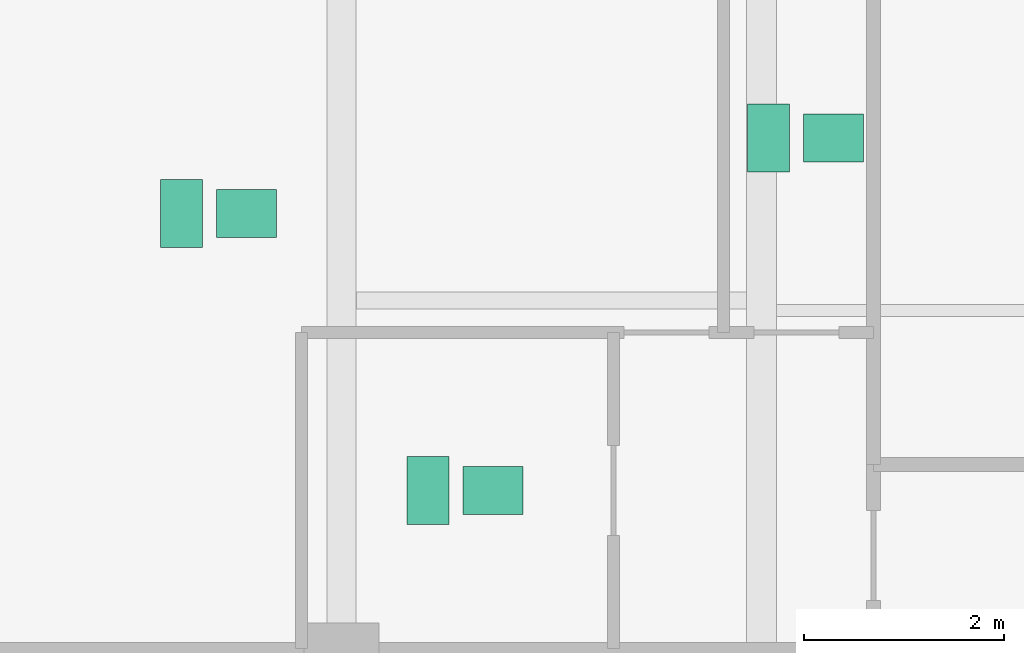
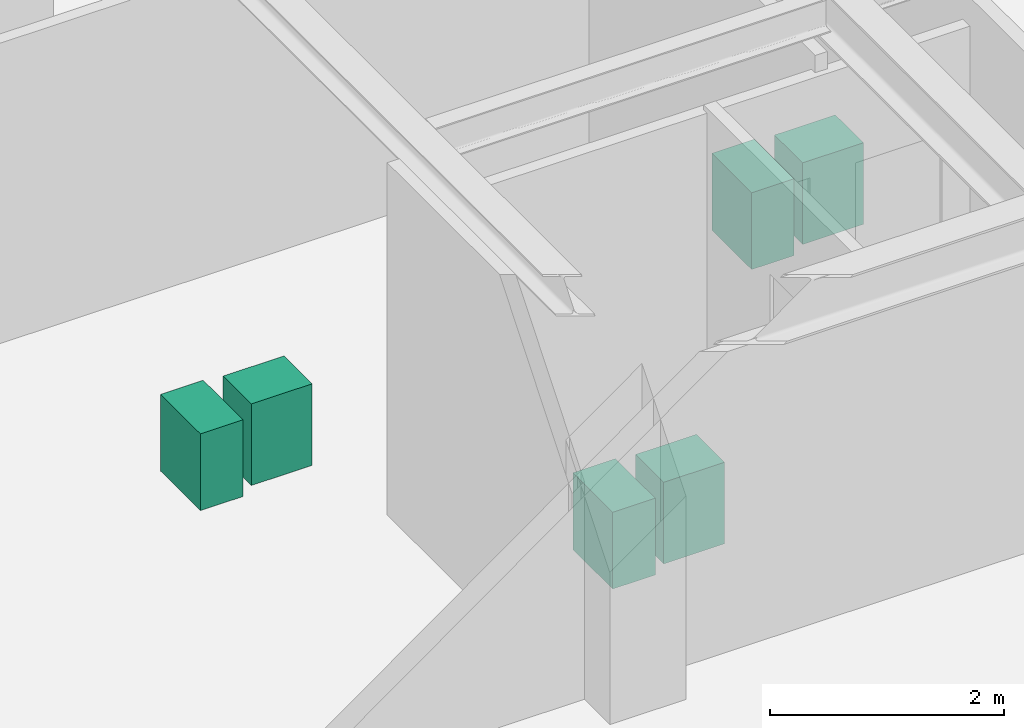
# One storey, part 22 of 22: 6 sanitary terminals.
"""IFC4 building model written with IfcOpenShell, lengths in metres."""

from ifc_helpers import new_model, si_unit, direction, frame, origin, origin_2d, place, context, subcontext, project, spatial, rectangle, extrude, source, transform, mapped, material, type_object, type_shapes, element, save


model = new_model("IFC4")

# Units and contexts
model_context = context("Model", 3, precision=1e-05, world=origin(), true_north=direction((0.0, 1.0)))
body_context = subcontext(model_context, "Body", "Model", "MODEL_VIEW")
ifc_project = project(units=[si_unit("LENGTHUNIT", "METRE"), si_unit("AREAUNIT", "SQUARE_METRE"), si_unit("VOLUMEUNIT", "CUBIC_METRE"), si_unit("PLANEANGLEUNIT", "RADIAN"), si_unit("MASSUNIT", "GRAM", prefix="KILO")], contexts=[model_context])

# Site, building, storey
site_placement = place(None, origin())
site = spatial("IfcSite", under=ifc_project, at=site_placement, CompositionType="ELEMENT")
building_placement = place(site_placement, origin())
building = spatial("IfcBuilding", under=site, at=building_placement, Name="Krantzveldt Concourse Tower", CompositionType="ELEMENT")
storey_placement = place(building_placement, frame((0.0, 0.0, 306.89990234375)))
storey = spatial("IfcBuildingStorey", under=building, at=storey_placement, Name="L75", CompositionType="ELEMENT", Elevation=306.89990234375)

# Sanitary terminals
ifc_material = material(Name="Vitreous china", Category="ceramic")
sanitary_terminal_type_1 = type_object("IfcSanitaryTerminalType", Name="SAN-WC-SUITE", PredefinedType="TOILETPAN", material=ifc_material)
shared_shape_1 = source(origin(), body_context, "Body", "SweptSolid", [
    extrude(rectangle(XDim=0.419921875, YDim=0.679931640625, at=origin_2d()), origin(), (0.0, 0.0, 1.0), 0.800048828125),
])
type_shapes(sanitary_terminal_type_1, [shared_shape_1])
for number, where, z_axis, x_axis, name in (
    (1, (19.400390625, 31.171142578125, 0.0), (0.0, 0.0, 1.0), (1.0, 0.0, 0.0), "WC-SP-L75-WCM"),
    (2, (25.27001953125, 31.925048828125, 0.0), (0.0, 0.0, 1.0), (1.0, 0.0, 0.0), "WC-SP-L75-WCF"),
    (3, (21.864990234375, 28.39990234375, 0.0), (0.0, 0.0, 1.0), (1.0, 0.0, 0.0), "WC-SP-L75-WCA"),
):
    element("IfcSanitaryTerminal", number, at=place(storey_placement, frame(where, z_axis=z_axis, x_axis=x_axis)), inside=storey, type_object=sanitary_terminal_type_1, Name=name, PredefinedType="TOILETPAN", context=body_context, shape_type="MappedRepresentation", body=[
        mapped(shared_shape_1, transform((0.0, 0.0, 0.0), x_axis=(1.0, 0.0, 0.0), y_axis=(0.0, 1.0, 0.0), z_axis=(0.0, 0.0, 1.0), scale=1.0)),
    ])
sanitary_terminal_type_2 = type_object("IfcSanitaryTerminalType", Name="SAN-BASIN-600", PredefinedType="WASHHANDBASIN", material=ifc_material)
shared_shape_2 = source(origin(), body_context, "Body", "SweptSolid", [
    extrude(rectangle(XDim=0.60009765625, YDim=0.47998046875, at=origin_2d()), origin(), (0.0, 0.0, 1.0), 0.85009765625),
])
type_shapes(sanitary_terminal_type_2, [shared_shape_2])
for number, where, z_axis, x_axis, name in (
    (4, (20.05029296875, 31.171142578125, 0.005126953125), (0.0, 0.0, 1.0), (1.0, 0.0, 0.0), "BSN-SP-L75-WCM"),
    (5, (25.919921875, 31.925048828125, 0.005126953125), (0.0, 0.0, 1.0), (1.0, 0.0, 0.0), "BSN-SP-L75-WCF"),
    (6, (22.514892578125, 28.39990234375, 0.005126953125), (0.0, 0.0, 1.0), (1.0, 0.0, 0.0), "BSN-SP-L75-WCA"),
):
    element("IfcSanitaryTerminal", number, at=place(storey_placement, frame(where, z_axis=z_axis, x_axis=x_axis)), inside=storey, type_object=sanitary_terminal_type_2, Name=name, PredefinedType="WASHHANDBASIN", context=body_context, shape_type="MappedRepresentation", body=[
        mapped(shared_shape_2, transform((0.0, 0.0, 0.0), x_axis=(1.0, 0.0, 0.0), y_axis=(0.0, 1.0, 0.0), z_axis=(0.0, 0.0, 1.0), scale=1.0)),
    ])

save(model, "model.ifc")
